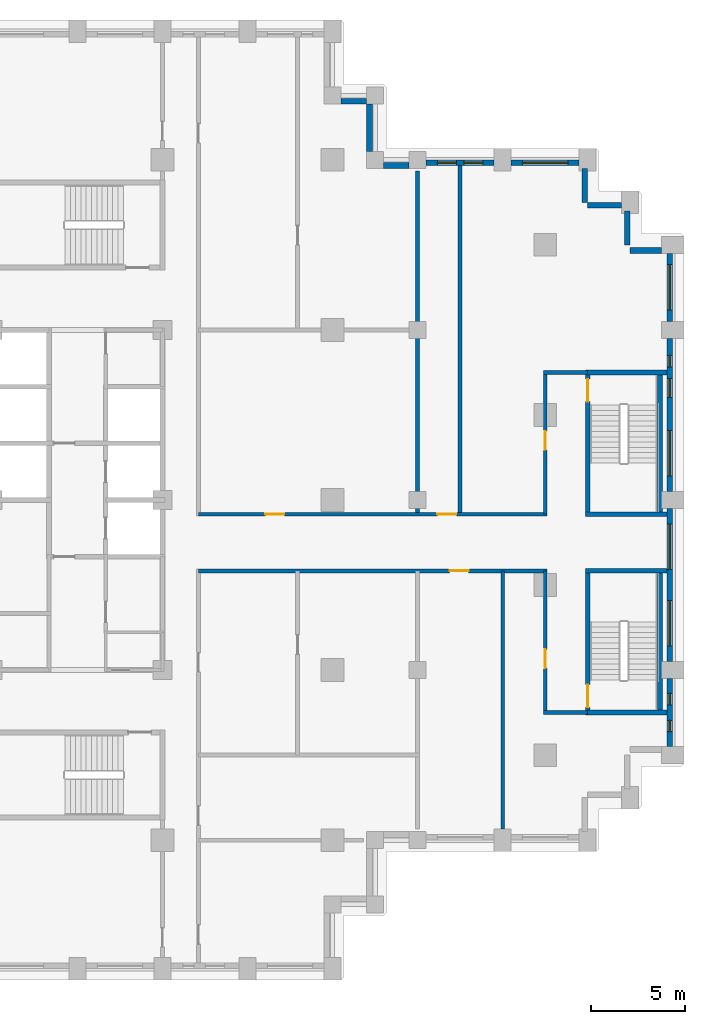
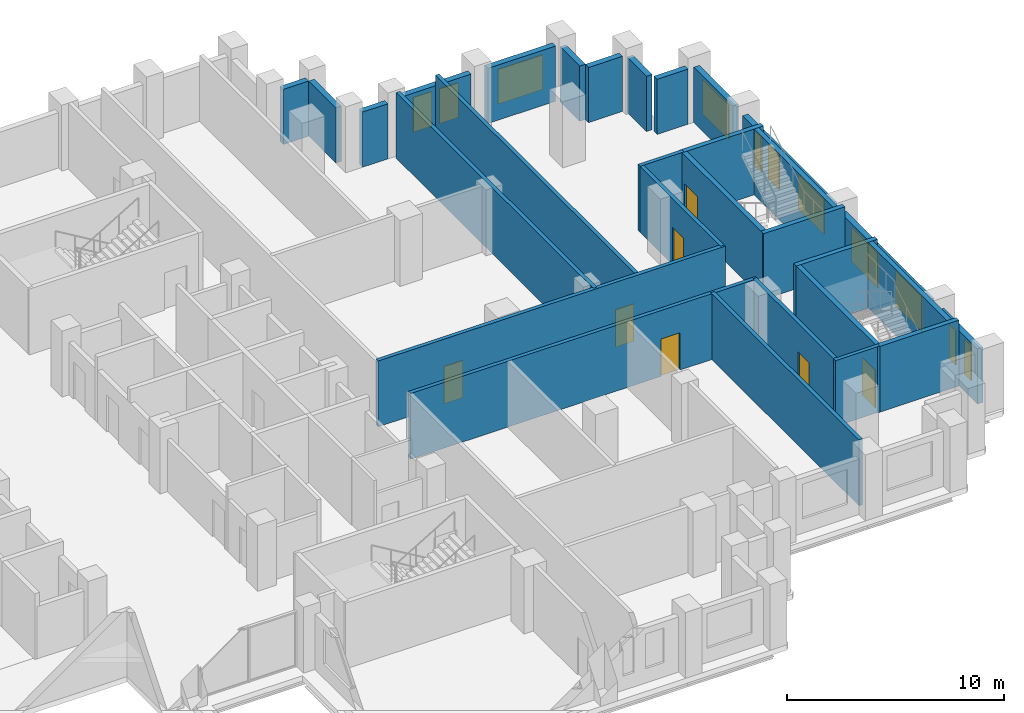
# One storey, part 12 of 16: 30 walls, 11 windows, 7 doors, 18 openings.
"""IFC4 building model written with IfcOpenShell, lengths in metres."""

import ifcopenshell
import ifcopenshell.guid

model = None  # the IFC model being written
_history = None  # IfcOwnerHistory: only IFC2X3 demands one
_inside = {}  # id of a spatial element -> (the spatial element, [elements in it])
_under = {}  # id of a project, library or spatial element -> (it, [spatial elements below it])
_declared = {}  # id of a project -> (the project, [libraries it declares])
_typed = {}  # id of a type object -> (the type object, [elements of that type])
_made_of = {}  # id of a material, layer set ... -> (it, [elements and type objects made of it])


def new_model(schema):
    """Start an empty IFC model of exactly this schema.

    Asked for "IFC4X3", IfcOpenShell would pick the latest addendum, in which some entities
    have other attributes; the version numbers below select the first issue.
    IFC2X3 requires an IfcOwnerHistory on every rooted entity: one is made here for all.
    """
    global model, _history
    if schema == "IFC4X3":
        model = ifcopenshell.file(schema_version=(4, 3, 0, 0))
    else:
        model = ifcopenshell.file(schema=schema)
    _inside.clear()
    _under.clear()
    _declared.clear()
    _typed.clear()
    _made_of.clear()
    _history = None
    if model.schema == "IFC2X3":
        org = make("IfcOrganization", Name="unknown")
        user = make(
            "IfcPersonAndOrganization",
            ThePerson=make("IfcPerson", FamilyName="unknown"),
            TheOrganization=org,
        )
        app = make(
            "IfcApplication",
            ApplicationDeveloper=org,
            Version="unknown",
            ApplicationFullName="unknown",
            ApplicationIdentifier="unknown",
        )
        _history = make(
            "IfcOwnerHistory",
            OwningUser=user,
            OwningApplication=app,
            ChangeAction="ADDED",
            CreationDate=0,
        )
    return model


def make(cls, **values):
    """One entity of the class cls with the attributes given. An attribute that is None is left unset."""
    return model.create_entity(
        cls, **{name: value for name, value in values.items() if value is not None}
    )


def rooted(cls, **values):
    """An entity with a GlobalId (a new one), such as an element, a storey or a relation."""
    return make(cls, GlobalId=ifcopenshell.guid.new(), OwnerHistory=_history, **values)


def si_unit(unit_type, name, prefix=None):
    """IfcSIUnit, for example si_unit("LENGTHUNIT", "METRE", prefix="MILLI")."""
    return make("IfcSIUnit", UnitType=unit_type, Prefix=prefix, Name=name)


def assignment(units):
    """IfcUnitAssignment: the units of a project."""
    return None if units is None else make("IfcUnitAssignment", Units=units)


def point(xyz):
    """IfcCartesianPoint."""
    return None if xyz is None else make("IfcCartesianPoint", Coordinates=xyz)


def direction(xyz):
    """IfcDirection."""
    return None if xyz is None else make("IfcDirection", DirectionRatios=xyz)


def frame(location, z_axis=None, x_axis=None):
    """IfcAxis2Placement3D, a coordinate frame: its origin and axes. An axis left out is left unset."""
    return make(
        "IfcAxis2Placement3D",
        Location=point(location),
        Axis=direction(z_axis),
        RefDirection=direction(x_axis),
    )


def frame_2d(location, x_axis=None):
    """IfcAxis2Placement2D, a coordinate frame in the plane: its origin and x axis."""
    return make(
        "IfcAxis2Placement2D", Location=point(location), RefDirection=direction(x_axis)
    )


def origin():
    """The frame at (0, 0, 0) with its axes left unset."""
    return frame((0.0, 0.0, 0.0))


def place(relative_to, where):
    """IfcLocalPlacement: puts the frame where relative to a parent placement (None: the world)."""
    return make(
        "IfcLocalPlacement", PlacementRelTo=relative_to, RelativePlacement=where
    )


def context(
    kind, dimensions, precision=None, world=None, true_north=None, identifier=None
):
    """IfcGeometricRepresentationContext, for example the 3D "Model" context."""
    return make(
        "IfcGeometricRepresentationContext",
        ContextIdentifier=identifier,
        ContextType=kind,
        CoordinateSpaceDimension=dimensions,
        Precision=precision,
        WorldCoordinateSystem=world,
        TrueNorth=true_north,
    )


def subcontext(parent, identifier, kind, view, scale=None):
    """IfcGeometricRepresentationSubContext, for example "Body" below "Model"."""
    return make(
        "IfcGeometricRepresentationSubContext",
        ContextIdentifier=identifier,
        ContextType=kind,
        ParentContext=parent,
        TargetScale=scale,
        TargetView=view,
    )


def project(units=None, contexts=None):
    """IfcProject with its units and contexts."""
    return rooted(
        "IfcProject",
        Name="project",
        RepresentationContexts=contexts,
        UnitsInContext=assignment(units),
    )


def spatial(cls, under=None, at=None, **own):
    """A site, building, storey or space (cls), placed at a placement, below another one or the project."""
    s = rooted(cls, ObjectPlacement=at, **own)
    if under is not None:
        _under.setdefault(under.id(), (under, []))[1].append(s)
    return s


def profile(cls, at=None, kind="AREA", **sizes):
    """A parametric profile (cls). Its sizes go by their IFC names, for example OverallWidth=200.0."""
    return make(cls, ProfileType=kind, Position=at, **sizes)


def rectangle(**sizes):
    """IfcRectangleProfileDef."""
    return profile("IfcRectangleProfileDef", **sizes)


def extrude(swept, where, along, depth):
    """IfcExtrudedAreaSolid: the profile swept, set in the frame where, extruded along a direction by depth."""
    return make(
        "IfcExtrudedAreaSolid",
        SweptArea=swept,
        Position=where,
        ExtrudedDirection=direction(along),
        Depth=depth,
    )


def shape(context_of_items, identifier, shape_type, items):
    """IfcShapeRepresentation: the items that make up one representation, for example the "Body"."""
    return make(
        "IfcShapeRepresentation",
        ContextOfItems=context_of_items,
        RepresentationIdentifier=identifier,
        RepresentationType=shape_type,
        Items=items,
    )


def material(Name=None, Category=None):
    """IfcMaterial."""
    return make("IfcMaterial", Name=Name, Category=Category)


def layer(
    of_material, thickness, ventilated=None, Name=None, Category=None, Priority=None
):
    """IfcMaterialLayer: one layer of a wall or slab, of a material (None: an air gap)."""
    return make(
        "IfcMaterialLayer",
        Material=of_material,
        LayerThickness=thickness,
        IsVentilated=ventilated,
        Name=Name,
        Category=Category,
        Priority=Priority,
    )


def layer_set(layers, Name=None):
    """IfcMaterialLayerSet."""
    return make("IfcMaterialLayerSet", MaterialLayers=layers, LayerSetName=Name)


def made_of(thing, what):
    """Note that an element or type object is made of a material, layer set ...; save() writes the relation."""
    if what is not None:
        _made_of.setdefault(what.id(), (what, []))[1].append(thing)
    return thing


def type_object(cls, material=None, **own):
    """A type object (cls), such as IfcWallType, which elements share."""
    return made_of(rooted(cls, **own), material)


def element(
    cls,
    number,
    at=None,
    inside=None,
    cuts=None,
    type_object=None,
    material=None,
    context=None,
    identifier="Body",
    shape_type=None,
    held_by="IfcProductDefinitionShape",
    body=None,
    shapes=None,
    **own,
):
    """One element of the class cls, such as IfcWall. Its Tag is "e" and its number.

    at: its placement. inside: the storey or other place that contains it. cuts: it is an
    opening in that element (IfcRelVoidsElement). A single representation is given by context,
    identifier, shape_type and body (its items); several are given by shapes. held_by: the class
    of the entity that holds the representations. save() writes the other relations.
    """
    e = rooted(cls, Tag="e%d" % number, ObjectPlacement=at, **own)
    if body is not None:
        shapes = [shape(context, identifier, shape_type, body)]
    if shapes is not None:
        e.Representation = make(held_by, Representations=shapes)
    if inside is not None:
        _inside.setdefault(inside.id(), (inside, []))[1].append(e)
    if cuts is not None:
        rooted(
            "IfcRelVoidsElement", RelatingBuildingElement=cuts, RelatedOpeningElement=e
        )
    if type_object is not None:
        _typed.setdefault(type_object.id(), (type_object, []))[1].append(e)
    return made_of(e, material)


def fill(opening, filler):
    """IfcRelFillsElement: the door or window that sits in an opening."""
    return rooted(
        "IfcRelFillsElement",
        RelatingOpeningElement=opening,
        RelatedBuildingElement=filler,
    )


def aggregate(whole, parts):
    """IfcRelAggregates: a whole, such as a stair, and the parts it consists of."""
    return rooted("IfcRelAggregates", RelatingObject=whole, RelatedObjects=parts)


def save(model, path):
    """Write the relations noted so far, then the file.

    IfcRelAggregates (storeys below a building ...), IfcRelContainedInSpatialStructure (elements
    in a storey), IfcRelDefinesByType, IfcRelAssociatesMaterial and IfcRelDeclares: one each for
    every whole, place, type object, material and project.
    """
    for whole, parts in _under.values():
        aggregate(whole, parts)
    for where, things in _inside.values():
        rooted(
            "IfcRelContainedInSpatialStructure",
            RelatedElements=things,
            RelatingStructure=where,
        )
    for kind, things in _typed.values():
        rooted("IfcRelDefinesByType", RelatedObjects=things, RelatingType=kind)
    for what, things in _made_of.values():
        rooted("IfcRelAssociatesMaterial", RelatedObjects=things, RelatingMaterial=what)
    for by, libraries in _declared.values():
        rooted("IfcRelDeclares", RelatingContext=by, RelatedDefinitions=libraries)
    model.write(path)


model = new_model("IFC4")

# Units and contexts
model_context = context("Model", 3, precision=1e-05, world=origin(), true_north=direction((0.0, 1.0)))
body_context = subcontext(model_context, "Body", "Model", "MODEL_VIEW")
ifc_project = project(units=[si_unit("LENGTHUNIT", "METRE"), si_unit("AREAUNIT", "SQUARE_METRE"), si_unit("VOLUMEUNIT", "CUBIC_METRE"), si_unit("PLANEANGLEUNIT", "RADIAN"), si_unit("MASSUNIT", "GRAM", prefix="KILO")], contexts=[model_context])

# Site, building, storey
site_placement = place(None, origin())
site = spatial("IfcSite", under=ifc_project, at=site_placement, CompositionType="ELEMENT")
building_placement = place(site_placement, origin())
building = spatial("IfcBuilding", under=site, at=building_placement, Name="Corbelhall Arena Tower", CompositionType="ELEMENT")
storey_placement = place(building_placement, frame((0.0, 0.0, 108.0)))
storey = spatial("IfcBuildingStorey", under=building, at=storey_placement, Name="L19", CompositionType="ELEMENT", Elevation=108.0)

# Walls
ifc_material_1 = material(Name="Precast concrete C40/50 with granite facing", Category="masonry")
ifc_layer_1 = layer(ifc_material_1, 0.300048828125)
ifc_layer_set_1 = layer_set([ifc_layer_1], Name="EV-IW1 Infill panel 300")
wall_type_1 = type_object("IfcWallType", Name="EV-IW1 Infill panel 300", PredefinedType="SOLIDWALL", material=ifc_layer_set_1)
wall_1_placement = place(storey_placement, frame((39.89990234375, 13.199951171875, 0.0), z_axis=(0.0, 0.0, 1.0), x_axis=(-1.0, 0.0, 0.0)))
element("IfcWall", 1, at=wall_1_placement, inside=storey, type_object=wall_type_1, Name="Infill panel IW1", PredefinedType="SOLIDWALL", context=body_context, shape_type="SweptSolid", body=[
    extrude(rectangle(XDim=1.64990234375, YDim=0.300048828125, at=frame_2d((0.824951171875, 0.0))), origin(), (0.0, 0.0, 1.0), 3.10009765625),
])
for number, where, z_axis, x_axis, name in (
    (2, (38.10009765625, 15.300048828125, 0.0), (0.0, 0.0, 1.0), (0.0, -1.0, 0.0), "Infill panel IW1"),
    (3, (37.800048828125, 15.60009765625, 0.0), (0.0, 0.0, 1.0), (-1.0, 0.0, 0.0), "Infill panel IW1"),
    (4, (35.85009765625, 17.550048828125, 0.0), (0.0, 0.0, 1.0), (0.0, -1.0, 0.0), "Infill panel IW1"),
):
    element("IfcWall", number, at=place(storey_placement, frame(where, z_axis=z_axis, x_axis=x_axis)), inside=storey, type_object=wall_type_1, Name=name, PredefinedType="SOLIDWALL", context=body_context, shape_type="SweptSolid", body=[
        extrude(rectangle(XDim=1.800048828125, YDim=0.300048828125, at=frame_2d((0.89990234375, 0.0))), origin(), (0.0, 0.0, 1.0), 3.10009765625),
    ])

# Wall, openings, windows
wall_2_placement = place(storey_placement, frame((40.35009765625, -13.050048828125, 0.0), z_axis=(0.0, 0.0, 1.0), x_axis=(0.0, 1.0, 0.0)))
wall_2 = element("IfcWall", 5, at=wall_2_placement, inside=storey, type_object=wall_type_1, Name="Infill panel IW1", PredefinedType="SOLIDWALL", context=body_context, shape_type="SweptSolid", body=[
    extrude(rectangle(XDim=3.60009765625, YDim=0.300048828125, at=frame_2d((1.800048828125, 0.0))), origin(), (0.0, 0.0, 1.0), 3.10009765625),
])
opening_1_placement = place(wall_2_placement, frame((0.78759765625, 0.0, 0.800048828125)))
opening_1 = element("IfcOpeningElement", 6, at=opening_1_placement, cuts=wall_2, Name="Opening WN5", PredefinedType="OPENING", context=body_context, shape_type="SweptSolid", body=[
    extrude(rectangle(XDim=0.60009765625, YDim=1.949951171875, at=frame_2d((0.300048828125, 0.97509765625))), frame((0.0, 0.14990234375, 0.0), z_axis=(0.0, -1.0, 0.0), x_axis=(1.0, 0.0, 0.0)), (0.0, 0.0, 1.0), 0.300048828125),
])
opening_2_placement = place(wall_2_placement, frame((2.21240234375, 0.0, 0.800048828125)))
opening_2 = element("IfcOpeningElement", 7, at=opening_2_placement, cuts=wall_2, Name="Opening WN5", PredefinedType="OPENING", context=body_context, shape_type="SweptSolid", body=[
    extrude(rectangle(XDim=0.60009765625, YDim=1.949951171875, at=frame_2d((0.300048828125, 0.97509765625))), frame((0.0, 0.14990234375, 0.0), z_axis=(0.0, -1.0, 0.0), x_axis=(1.0, 0.0, 0.0)), (0.0, 0.0, 1.0), 0.300048828125),
])
ifc_material_2 = material(Name="Aluminium black anodised", Category="aluminium")
window_type_1 = type_object("IfcWindowType", Name="EV-WN5 Office window 600", PartitioningType="SINGLE_PANEL", PredefinedType="WINDOW", material=ifc_material_2)
window_1_placement = place(opening_1_placement, origin())
window_1 = element("IfcWindow", 8, at=window_1_placement, inside=storey, type_object=window_type_1, Name="Window WN5", OverallHeight=1.949951171875, OverallWidth=0.60009765625, PartitioningType="SINGLE_PANEL", PredefinedType="WINDOW", context=body_context, shape_type="SweptSolid", body=[
    extrude(rectangle(XDim=0.60009765625, YDim=1.949951171875, at=frame_2d((0.300048828125, 0.97509765625))), frame((0.0, 0.030029296875, 0.0), z_axis=(0.0, -1.0, 0.0), x_axis=(1.0, 0.0, 0.0)), (0.0, 0.0, 1.0), 0.06005859375),
])
fill(opening_1, window_1)
window_2_placement = place(opening_2_placement, origin())
window_2 = element("IfcWindow", 9, at=window_2_placement, inside=storey, type_object=window_type_1, Name="Window WN5", OverallHeight=1.949951171875, OverallWidth=0.60009765625, PartitioningType="SINGLE_PANEL", PredefinedType="WINDOW", context=body_context, shape_type="SweptSolid", body=[
    extrude(rectangle(XDim=0.60009765625, YDim=1.949951171875, at=frame_2d((0.300048828125, 0.97509765625))), frame((0.0, 0.030029296875, 0.0), z_axis=(0.0, -1.0, 0.0), x_axis=(1.0, 0.0, 0.0)), (0.0, 0.0, 1.0), 0.06005859375),
])
fill(opening_2, window_2)

wall_3_placement = place(storey_placement, frame((40.35009765625, -8.550048828125, 0.0), z_axis=(0.0, 0.0, 1.0), x_axis=(0.0, 1.0, 0.0)))
wall_3 = element("IfcWall", 10, at=wall_3_placement, inside=storey, type_object=wall_type_1, Name="Infill panel IW1", PredefinedType="SOLIDWALL", context=body_context, shape_type="SweptSolid", body=[
    extrude(rectangle(XDim=8.10009765625, YDim=0.300048828125, at=frame_2d((4.050048828125, 0.0))), origin(), (0.0, 0.0, 1.0), 3.10009765625),
])
opening_3_placement = place(wall_3_placement, frame((0.824951171875, 0.0, 0.800048828125)))
opening_3 = element("IfcOpeningElement", 11, at=opening_3_placement, cuts=wall_3, Name="Opening WN1", PredefinedType="OPENING", context=body_context, shape_type="SweptSolid", body=[
    extrude(rectangle(XDim=2.39990234375, YDim=1.949951171875, at=frame_2d((1.199951171875, 0.97509765625))), frame((0.0, 0.14990234375, 0.0), z_axis=(0.0, -1.0, 0.0), x_axis=(1.0, 0.0, 0.0)), (0.0, 0.0, 1.0), 0.300048828125),
])
opening_4_placement = place(wall_3_placement, frame((4.875, 0.0, 0.800048828125)))
opening_4 = element("IfcOpeningElement", 12, at=opening_4_placement, cuts=wall_3, Name="Opening WN1", PredefinedType="OPENING", context=body_context, shape_type="SweptSolid", body=[
    extrude(rectangle(XDim=2.39990234375, YDim=1.949951171875, at=frame_2d((1.199951171875, 0.97509765625))), frame((0.0, 0.14990234375, 0.0), z_axis=(0.0, -1.0, 0.0), x_axis=(1.0, 0.0, 0.0)), (0.0, 0.0, 1.0), 0.300048828125),
])
window_type_2 = type_object("IfcWindowType", Name="EV-WN1 Office window", PartitioningType="SINGLE_PANEL", PredefinedType="WINDOW", material=ifc_material_2)
window_3_placement = place(opening_3_placement, origin())
window_3 = element("IfcWindow", 13, at=window_3_placement, inside=storey, type_object=window_type_2, Name="Window WN1", OverallHeight=1.949951171875, OverallWidth=2.39990234375, PartitioningType="SINGLE_PANEL", PredefinedType="WINDOW", context=body_context, shape_type="SweptSolid", body=[
    extrude(rectangle(XDim=2.39990234375, YDim=1.949951171875, at=frame_2d((1.199951171875, 0.97509765625))), frame((0.0, 0.030029296875, 0.0), z_axis=(0.0, -1.0, 0.0), x_axis=(1.0, 0.0, 0.0)), (0.0, 0.0, 1.0), 0.06005859375),
])
fill(opening_3, window_3)
window_4_placement = place(opening_4_placement, origin())
window_4 = element("IfcWindow", 14, at=window_4_placement, inside=storey, type_object=window_type_2, Name="Window WN1", OverallHeight=1.949951171875, OverallWidth=2.39990234375, PartitioningType="SINGLE_PANEL", PredefinedType="WINDOW", context=body_context, shape_type="SweptSolid", body=[
    extrude(rectangle(XDim=2.39990234375, YDim=1.949951171875, at=frame_2d((1.199951171875, 0.97509765625))), frame((0.0, 0.030029296875, 0.0), z_axis=(0.0, -1.0, 0.0), x_axis=(1.0, 0.0, 0.0)), (0.0, 0.0, 1.0), 0.06005859375),
])
fill(opening_4, window_4)

wall_4_placement = place(storey_placement, frame((40.35009765625, 0.449951171875, 0.0), z_axis=(0.0, 0.0, 1.0), x_axis=(0.0, 1.0, 0.0)))
wall_4 = element("IfcWall", 15, at=wall_4_placement, inside=storey, type_object=wall_type_1, Name="Infill panel IW1", PredefinedType="SOLIDWALL", context=body_context, shape_type="SweptSolid", body=[
    extrude(rectangle(XDim=8.10009765625, YDim=0.300048828125, at=frame_2d((4.050048828125, 0.0))), origin(), (0.0, 0.0, 1.0), 3.10009765625),
])
opening_5_placement = place(wall_4_placement, frame((0.824951171875, 0.0, 0.800048828125)))
opening_5 = element("IfcOpeningElement", 16, at=opening_5_placement, cuts=wall_4, Name="Opening WN1", PredefinedType="OPENING", context=body_context, shape_type="SweptSolid", body=[
    extrude(rectangle(XDim=2.39990234375, YDim=1.949951171875, at=frame_2d((1.199951171875, 0.97509765625))), frame((0.0, 0.14990234375, 0.0), z_axis=(0.0, -1.0, 0.0), x_axis=(1.0, 0.0, 0.0)), (0.0, 0.0, 1.0), 0.300048828125),
])
opening_6_placement = place(wall_4_placement, frame((4.97509765625, 0.0, 0.800048828125)))
opening_6 = element("IfcOpeningElement", 17, at=opening_6_placement, cuts=wall_4, Name="Opening WN6", PredefinedType="OPENING", context=body_context, shape_type="SweptSolid", body=[
    extrude(rectangle(XDim=1.0, YDim=1.949951171875, at=frame_2d((0.5, 0.97509765625))), frame((0.0, 0.14990234375, 0.0), z_axis=(0.0, -1.0, 0.0), x_axis=(1.0, 0.0, 0.0)), (0.0, 0.0, 1.0), 0.300048828125),
])
opening_7_placement = place(wall_4_placement, frame((6.60009765625, 0.0, 0.800048828125)))
opening_7 = element("IfcOpeningElement", 18, at=opening_7_placement, cuts=wall_4, Name="Opening WN5", PredefinedType="OPENING", context=body_context, shape_type="SweptSolid", body=[
    extrude(rectangle(XDim=0.60009765625, YDim=1.949951171875, at=frame_2d((0.300048828125, 0.97509765625))), frame((0.0, 0.14990234375, 0.0), z_axis=(0.0, -1.0, 0.0), x_axis=(1.0, 0.0, 0.0)), (0.0, 0.0, 1.0), 0.300048828125),
])
window_5_placement = place(opening_5_placement, origin())
window_5 = element("IfcWindow", 19, at=window_5_placement, inside=storey, type_object=window_type_2, Name="Window WN1", OverallHeight=1.949951171875, OverallWidth=2.39990234375, PartitioningType="SINGLE_PANEL", PredefinedType="WINDOW", context=body_context, shape_type="SweptSolid", body=[
    extrude(rectangle(XDim=2.39990234375, YDim=1.949951171875, at=frame_2d((1.199951171875, 0.97509765625))), frame((0.0, 0.030029296875, 0.0), z_axis=(0.0, -1.0, 0.0), x_axis=(1.0, 0.0, 0.0)), (0.0, 0.0, 1.0), 0.06005859375),
])
fill(opening_5, window_5)
window_6_placement = place(opening_7_placement, origin())
window_6 = element("IfcWindow", 20, at=window_6_placement, inside=storey, type_object=window_type_1, Name="Window WN5", OverallHeight=1.949951171875, OverallWidth=0.60009765625, PartitioningType="SINGLE_PANEL", PredefinedType="WINDOW", context=body_context, shape_type="SweptSolid", body=[
    extrude(rectangle(XDim=0.60009765625, YDim=1.949951171875, at=frame_2d((0.300048828125, 0.97509765625))), frame((0.0, 0.030029296875, 0.0), z_axis=(0.0, -1.0, 0.0), x_axis=(1.0, 0.0, 0.0)), (0.0, 0.0, 1.0), 0.06005859375),
])
fill(opening_7, window_6)
window_type_3 = type_object("IfcWindowType", Name="EV-WN6 Office window 1000", PartitioningType="SINGLE_PANEL", PredefinedType="WINDOW", material=ifc_material_2)
window_7_placement = place(opening_6_placement, origin())
window_7 = element("IfcWindow", 21, at=window_7_placement, inside=storey, type_object=window_type_3, Name="Window WN6", OverallHeight=1.949951171875, OverallWidth=1.0, PartitioningType="SINGLE_PANEL", PredefinedType="WINDOW", context=body_context, shape_type="SweptSolid", body=[
    extrude(rectangle(XDim=1.0, YDim=1.949951171875, at=frame_2d((0.5, 0.97509765625))), frame((0.0, 0.030029296875, 0.0), z_axis=(0.0, -1.0, 0.0), x_axis=(1.0, 0.0, 0.0)), (0.0, 0.0, 1.0), 0.06005859375),
])
fill(opening_6, window_7)

# Wall, opening, window
wall_5_placement = place(storey_placement, frame((40.35009765625, 9.449951171875, 0.0), z_axis=(0.0, 0.0, 1.0), x_axis=(0.0, 1.0, 0.0)))
wall_5 = element("IfcWall", 22, at=wall_5_placement, inside=storey, type_object=wall_type_1, Name="Infill panel IW1", PredefinedType="SOLIDWALL", context=body_context, shape_type="SweptSolid", body=[
    extrude(rectangle(XDim=3.60009765625, YDim=0.300048828125, at=frame_2d((1.800048828125, 0.0))), origin(), (0.0, 0.0, 1.0), 3.10009765625),
])
opening_8_placement = place(wall_5_placement, frame((0.60009765625, 0.0, 0.800048828125)))
opening_8 = element("IfcOpeningElement", 23, at=opening_8_placement, cuts=wall_5, Name="Opening WN1", PredefinedType="OPENING", context=body_context, shape_type="SweptSolid", body=[
    extrude(rectangle(XDim=2.39990234375, YDim=1.949951171875, at=frame_2d((1.199951171875, 0.97509765625))), frame((0.0, 0.14990234375, 0.0), z_axis=(0.0, -1.0, 0.0), x_axis=(1.0, 0.0, 0.0)), (0.0, 0.0, 1.0), 0.300048828125),
])
window_8_placement = place(opening_8_placement, origin())
window_8 = element("IfcWindow", 24, at=window_8_placement, inside=storey, type_object=window_type_2, Name="Window WN1", OverallHeight=1.949951171875, OverallWidth=2.39990234375, PartitioningType="SINGLE_PANEL", PredefinedType="WINDOW", context=body_context, shape_type="SweptSolid", body=[
    extrude(rectangle(XDim=2.39990234375, YDim=1.949951171875, at=frame_2d((1.199951171875, 0.97509765625))), frame((0.0, 0.030029296875, 0.0), z_axis=(0.0, -1.0, 0.0), x_axis=(1.0, 0.0, 0.0)), (0.0, 0.0, 1.0), 0.06005859375),
])
fill(opening_8, window_8)

wall_6_placement = place(storey_placement, frame((35.550048828125, 17.85009765625, 0.0), z_axis=(0.0, 0.0, 1.0), x_axis=(-1.0, 0.0, 0.0)))
wall_6 = element("IfcWall", 25, at=wall_6_placement, inside=storey, type_object=wall_type_1, Name="Infill panel IW1", PredefinedType="SOLIDWALL", context=body_context, shape_type="SweptSolid", body=[
    extrude(rectangle(XDim=3.60009765625, YDim=0.300048828125, at=frame_2d((1.800048828125, 0.0))), origin(), (0.0, 0.0, 1.0), 3.10009765625),
])
opening_9_placement = place(wall_6_placement, frame((0.60009765625, 0.0, 0.800048828125)))
opening_9 = element("IfcOpeningElement", 26, at=opening_9_placement, cuts=wall_6, Name="Opening WN1", PredefinedType="OPENING", context=body_context, shape_type="SweptSolid", body=[
    extrude(rectangle(XDim=2.39990234375, YDim=1.949951171875, at=frame_2d((1.199951171875, 0.97509765625))), frame((0.0, 0.14990234375, 0.0), z_axis=(0.0, -1.0, 0.0), x_axis=(1.0, 0.0, 0.0)), (0.0, 0.0, 1.0), 0.300048828125),
])
window_9_placement = place(opening_9_placement, origin())
window_9 = element("IfcWindow", 27, at=window_9_placement, inside=storey, type_object=window_type_2, Name="Window WN1", OverallHeight=1.949951171875, OverallWidth=2.39990234375, PartitioningType="SINGLE_PANEL", PredefinedType="WINDOW", context=body_context, shape_type="SweptSolid", body=[
    extrude(rectangle(XDim=2.39990234375, YDim=1.949951171875, at=frame_2d((1.199951171875, 0.97509765625))), frame((0.0, 0.030029296875, 0.0), z_axis=(0.0, -1.0, 0.0), x_axis=(1.0, 0.0, 0.0)), (0.0, 0.0, 1.0), 0.06005859375),
])
fill(opening_9, window_9)

# Wall, openings, windows
wall_7_placement = place(storey_placement, frame((31.050048828125, 17.85009765625, 0.0), z_axis=(0.0, 0.0, 1.0), x_axis=(-1.0, 0.0, 0.0)))
wall_7 = element("IfcWall", 28, at=wall_7_placement, inside=storey, type_object=wall_type_1, Name="Infill panel IW1", PredefinedType="SOLIDWALL", context=body_context, shape_type="SweptSolid", body=[
    extrude(rectangle(XDim=3.60009765625, YDim=0.300048828125, at=frame_2d((1.800048828125, 0.0))), origin(), (0.0, 0.0, 1.0), 3.10009765625),
])
opening_10_placement = place(wall_7_placement, frame((0.60009765625, 0.0, 0.800048828125)))
opening_10 = element("IfcOpeningElement", 29, at=opening_10_placement, cuts=wall_7, Name="Opening WN6", PredefinedType="OPENING", context=body_context, shape_type="SweptSolid", body=[
    extrude(rectangle(XDim=1.0, YDim=1.949951171875, at=frame_2d((0.5, 0.97509765625))), frame((0.0, 0.14990234375, 0.0), z_axis=(0.0, -1.0, 0.0), x_axis=(1.0, 0.0, 0.0)), (0.0, 0.0, 1.0), 0.300048828125),
])
opening_11_placement = place(wall_7_placement, frame((2.0, 0.0, 0.800048828125)))
opening_11 = element("IfcOpeningElement", 30, at=opening_11_placement, cuts=wall_7, Name="Opening WN6", PredefinedType="OPENING", context=body_context, shape_type="SweptSolid", body=[
    extrude(rectangle(XDim=1.0, YDim=1.949951171875, at=frame_2d((0.5, 0.97509765625))), frame((0.0, 0.14990234375, 0.0), z_axis=(0.0, -1.0, 0.0), x_axis=(1.0, 0.0, 0.0)), (0.0, 0.0, 1.0), 0.300048828125),
])
window_10_placement = place(opening_10_placement, origin())
window_10 = element("IfcWindow", 31, at=window_10_placement, inside=storey, type_object=window_type_3, Name="Window WN6", OverallHeight=1.949951171875, OverallWidth=1.0, PartitioningType="SINGLE_PANEL", PredefinedType="WINDOW", context=body_context, shape_type="SweptSolid", body=[
    extrude(rectangle(XDim=1.0, YDim=1.949951171875, at=frame_2d((0.5, 0.97509765625))), frame((0.0, 0.030029296875, 0.0), z_axis=(0.0, -1.0, 0.0), x_axis=(1.0, 0.0, 0.0)), (0.0, 0.0, 1.0), 0.06005859375),
])
fill(opening_10, window_10)
window_11_placement = place(opening_11_placement, origin())
window_11 = element("IfcWindow", 32, at=window_11_placement, inside=storey, type_object=window_type_3, Name="Window WN6", OverallHeight=1.949951171875, OverallWidth=1.0, PartitioningType="SINGLE_PANEL", PredefinedType="WINDOW", context=body_context, shape_type="SweptSolid", body=[
    extrude(rectangle(XDim=1.0, YDim=1.949951171875, at=frame_2d((0.5, 0.97509765625))), frame((0.0, 0.030029296875, 0.0), z_axis=(0.0, -1.0, 0.0), x_axis=(1.0, 0.0, 0.0)), (0.0, 0.0, 1.0), 0.06005859375),
])
fill(opening_11, window_11)

# Walls
wall_8_placement = place(storey_placement, frame((26.550048828125, 17.699951171875, 0.0), z_axis=(0.0, 0.0, 1.0), x_axis=(-1.0, 0.0, 0.0)))
element("IfcWall", 33, at=wall_8_placement, inside=storey, type_object=wall_type_1, Name="Infill panel IW1", PredefinedType="SOLIDWALL", context=body_context, shape_type="SweptSolid", body=[
    extrude(rectangle(XDim=1.35009765625, YDim=0.300048828125, at=frame_2d((0.675048828125, 0.0))), origin(), (0.0, 0.0, 1.0), 3.10009765625),
])
wall_9_placement = place(storey_placement, frame((24.449951171875, 18.449951171875, 0.0), z_axis=(0.0, 0.0, 1.0), x_axis=(0.0, 1.0, 0.0)))
element("IfcWall", 34, at=wall_9_placement, inside=storey, type_object=wall_type_1, Name="Infill panel IW1", PredefinedType="SOLIDWALL", context=body_context, shape_type="SweptSolid", body=[
    extrude(rectangle(XDim=2.5, YDim=0.300048828125, at=frame_2d((1.25, 0.0))), origin(), (0.0, 0.0, 1.0), 3.10009765625),
])
wall_10_placement = place(storey_placement, frame((24.300048828125, 21.10009765625, 0.0), z_axis=(0.0, 0.0, 1.0), x_axis=(-1.0, 0.0, 0.0)))
element("IfcWall", 35, at=wall_10_placement, inside=storey, type_object=wall_type_1, Name="Infill panel IW1", PredefinedType="SOLIDWALL", context=body_context, shape_type="SweptSolid", body=[
    extrude(rectangle(XDim=1.35009765625, YDim=0.300048828125, at=frame_2d((0.675048828125, 0.0))), origin(), (0.0, 0.0, 1.0), 3.10009765625),
])

# Wall, openings, doors
ifc_material_3 = material(Name="Gypsum board on steel stud, acoustic", Category="steel")
ifc_layer_2 = layer(ifc_material_3, 0.199951171875)
ifc_layer_set_2 = layer_set([ifc_layer_2], Name="IN-W-DM200")
wall_type_2 = type_object("IfcWallType", Name="IN-W-DM200", PredefinedType="PARTITIONING", material=ifc_layer_set_2)
wall_11_placement = place(storey_placement, frame((15.39990234375, -0.75, 0.0), z_axis=(0.0, 0.0, 1.0), x_axis=(1.0, 0.0, 0.0)))
wall_11 = element("IfcWall", 36, at=wall_11_placement, inside=storey, type_object=wall_type_2, Name="Partition 030", PredefinedType="PARTITIONING", context=body_context, shape_type="SweptSolid", body=[
    extrude(rectangle(XDim=18.4501953125, YDim=0.199951171875, at=frame_2d((9.22509765625, 0.0))), origin(), (0.0, 0.0, 1.0), 3.699951171875),
])
opening_12_placement = place(wall_11_placement, frame((3.550048828125, 0.0, 0.0)))
opening_12 = element("IfcOpeningElement", 37, at=opening_12_placement, cuts=wall_11, Name="Opening 04032", PredefinedType="OPENING", context=body_context, shape_type="SweptSolid", body=[
    extrude(rectangle(XDim=1.0, YDim=2.10009765625, at=frame_2d((0.5, 1.050048828125))), frame((0.0, 0.10009765625, 0.0), z_axis=(0.0, -1.0, 0.0), x_axis=(1.0, 0.0, 0.0)), (0.0, 0.0, 1.0), 0.199951171875),
])
opening_13_placement = place(wall_11_placement, frame((12.64990234375, 0.0, 0.0)))
opening_13 = element("IfcOpeningElement", 38, at=opening_13_placement, cuts=wall_11, Name="Opening 04042", PredefinedType="OPENING", context=body_context, shape_type="SweptSolid", body=[
    extrude(rectangle(XDim=1.0, YDim=2.10009765625, at=frame_2d((0.5, 1.050048828125))), frame((0.0, 0.10009765625, 0.0), z_axis=(0.0, -1.0, 0.0), x_axis=(1.0, 0.0, 0.0)), (0.0, 0.0, 1.0), 0.199951171875),
])
ifc_material_4 = material(Name="Steel door set", Category="steel")
door_type_1 = type_object("IfcDoorType", Name="IN-D-SW100", OperationType="NOTDEFINED", PredefinedType="DOOR", material=ifc_material_4)
door_1_placement = place(opening_12_placement, origin())
door_1 = element("IfcDoor", 39, at=door_1_placement, inside=storey, type_object=door_type_1, Name="Door 032", OperationType="SINGLE_SWING_LEFT", OverallHeight=2.10009765625, OverallWidth=1.0, PredefinedType="DOOR", context=body_context, shape_type="SweptSolid", body=[
    extrude(rectangle(XDim=1.0, YDim=2.10009765625, at=frame_2d((0.5, 1.050048828125))), frame((0.0, 0.02490234375, 0.0), z_axis=(0.0, -1.0, 0.0), x_axis=(1.0, 0.0, 0.0)), (0.0, 0.0, 1.0), 0.050048828125),
])
fill(opening_12, door_1)
door_2_placement = place(opening_13_placement, origin())
door_2 = element("IfcDoor", 40, at=door_2_placement, inside=storey, type_object=door_type_1, Name="Door 042", OperationType="SINGLE_SWING_LEFT", OverallHeight=2.10009765625, OverallWidth=1.0, PredefinedType="DOOR", context=body_context, shape_type="SweptSolid", body=[
    extrude(rectangle(XDim=1.0, YDim=2.10009765625, at=frame_2d((0.5, 1.050048828125))), frame((0.0, 0.02490234375, 0.0), z_axis=(0.0, -1.0, 0.0), x_axis=(1.0, 0.0, 0.0)), (0.0, 0.0, 1.0), 0.050048828125),
])
fill(opening_13, door_2)

# Wall, opening, door
wall_12_placement = place(storey_placement, frame((33.85009765625, -3.75, 0.0), z_axis=(0.0, 0.0, 1.0), x_axis=(-1.0, 0.0, 0.0)))
wall_12 = element("IfcWall", 41, at=wall_12_placement, inside=storey, type_object=wall_type_2, Name="Partition 035", PredefinedType="PARTITIONING", context=body_context, shape_type="SweptSolid", body=[
    extrude(rectangle(XDim=18.4501953125, YDim=0.199951171875, at=frame_2d((9.22509765625, 0.0))), origin(), (0.0, 0.0, 1.0), 3.699951171875),
])
opening_14_placement = place(wall_12_placement, frame((4.14990234375, 0.0, 0.0)))
opening_14 = element("IfcOpeningElement", 42, at=opening_14_placement, cuts=wall_12, Name="Opening 04044", PredefinedType="OPENING", context=body_context, shape_type="SweptSolid", body=[
    extrude(rectangle(XDim=1.0, YDim=2.10009765625, at=frame_2d((0.5, 1.050048828125))), frame((0.0, 0.10009765625, 0.0), z_axis=(0.0, -1.0, 0.0), x_axis=(1.0, 0.0, 0.0)), (0.0, 0.0, 1.0), 0.199951171875),
])
door_3_placement = place(opening_14_placement, origin())
door_3 = element("IfcDoor", 43, at=door_3_placement, inside=storey, type_object=door_type_1, Name="Door 044", OperationType="SINGLE_SWING_LEFT", OverallHeight=2.10009765625, OverallWidth=1.0, PredefinedType="DOOR", context=body_context, shape_type="SweptSolid", body=[
    extrude(rectangle(XDim=1.0, YDim=2.10009765625, at=frame_2d((0.5, 1.050048828125))), frame((0.0, 0.02490234375, 0.0), z_axis=(0.0, -1.0, 0.0), x_axis=(1.0, 0.0, 0.0)), (0.0, 0.0, 1.0), 0.050048828125),
])
fill(opening_14, door_3)

# Walls
wall_13_placement = place(storey_placement, frame((27.0, 17.39990234375, 0.0), z_axis=(0.0, 0.0, 1.0), x_axis=(0.0, -1.0, 0.0)))
element("IfcWall", 44, at=wall_13_placement, inside=storey, type_object=wall_type_2, Name="Partition 037", PredefinedType="PARTITIONING", context=body_context, shape_type="SweptSolid", body=[
    extrude(rectangle(XDim=18.14990234375, YDim=0.199951171875, at=frame_2d((9.074951171875, 0.0))), origin(), (0.0, 0.0, 1.0), 3.699951171875),
])
wall_14_placement = place(storey_placement, frame((29.25, 17.699951171875, 0.0), z_axis=(0.0, 0.0, 1.0), x_axis=(0.0, -1.0, 0.0)))
element("IfcWall", 45, at=wall_14_placement, inside=storey, type_object=wall_type_2, Name="Partition 038", PredefinedType="PARTITIONING", context=body_context, shape_type="SweptSolid", body=[
    extrude(rectangle(XDim=18.449951171875, YDim=0.199951171875, at=frame_2d((9.22509765625, 0.0))), origin(), (0.0, 0.0, 1.0), 3.699951171875),
])
wall_15_placement = place(storey_placement, frame((31.5, -3.75, 0.0), z_axis=(0.0, 0.0, 1.0), x_axis=(0.0, -1.0, 0.0)))
element("IfcWall", 46, at=wall_15_placement, inside=storey, type_object=wall_type_2, Name="Partition 039", PredefinedType="PARTITIONING", context=body_context, shape_type="SweptSolid", body=[
    extrude(rectangle(XDim=13.64990234375, YDim=0.199951171875, at=frame_2d((6.824951171875, 0.0))), origin(), (0.0, 0.0, 1.0), 3.699951171875),
])
wall_16_placement = place(storey_placement, frame((33.64990234375, 6.75, 0.0), z_axis=(0.0, 0.0, 1.0), x_axis=(1.0, 0.0, 0.0)))
element("IfcWall", 47, at=wall_16_placement, inside=storey, type_object=wall_type_2, Name="Partition 040", PredefinedType="PARTITIONING", context=body_context, shape_type="SweptSolid", body=[
    extrude(rectangle(XDim=2.35009765625, YDim=0.199951171875, at=frame_2d((1.175048828125, 0.0))), origin(), (0.0, 0.0, 1.0), 3.699951171875),
])

# Wall, opening, door
wall_17_placement = place(storey_placement, frame((33.75, -11.25, 0.0), z_axis=(0.0, 0.0, 1.0), x_axis=(0.0, 1.0, 0.0)))
wall_17 = element("IfcWall", 48, at=wall_17_placement, inside=storey, type_object=wall_type_2, Name="Partition 041", PredefinedType="PARTITIONING", context=body_context, shape_type="SweptSolid", body=[
    extrude(rectangle(XDim=7.5, YDim=0.199951171875, at=frame_2d((3.75, 0.0))), origin(), (0.0, 0.0, 1.0), 3.699951171875),
])
opening_15_placement = place(wall_17_placement, frame((2.35009765625, 0.0, 0.0)))
opening_15 = element("IfcOpeningElement", 49, at=opening_15_placement, cuts=wall_17, Name="Opening 04045", PredefinedType="OPENING", context=body_context, shape_type="SweptSolid", body=[
    extrude(rectangle(XDim=1.0, YDim=2.10009765625, at=frame_2d((0.5, 1.050048828125))), frame((0.0, 0.10009765625, 0.0), z_axis=(0.0, -1.0, 0.0), x_axis=(1.0, 0.0, 0.0)), (0.0, 0.0, 1.0), 0.199951171875),
])
door_4_placement = place(opening_15_placement, origin())
door_4 = element("IfcDoor", 50, at=door_4_placement, inside=storey, type_object=door_type_1, Name="Door 045", OperationType="SINGLE_SWING_RIGHT", OverallHeight=2.10009765625, OverallWidth=1.0, PredefinedType="DOOR", context=body_context, shape_type="SweptSolid", body=[
    extrude(rectangle(XDim=1.0, YDim=2.10009765625, at=frame_2d((0.5, 1.050048828125))), frame((0.0, 0.02490234375, 0.0), z_axis=(0.0, -1.0, 0.0), x_axis=(1.0, 0.0, 0.0)), (0.0, 0.0, 1.0), 0.050048828125),
])
fill(opening_15, door_4)

wall_18_placement = place(storey_placement, frame((33.75, -0.75, 0.0), z_axis=(0.0, 0.0, 1.0), x_axis=(0.0, 1.0, 0.0)))
wall_18 = element("IfcWall", 51, at=wall_18_placement, inside=storey, type_object=wall_type_2, Name="Partition 042", PredefinedType="PARTITIONING", context=body_context, shape_type="SweptSolid", body=[
    extrude(rectangle(XDim=7.5, YDim=0.199951171875, at=frame_2d((3.75, 0.0))), origin(), (0.0, 0.0, 1.0), 3.699951171875),
])
opening_16_placement = place(wall_18_placement, frame((3.39990234375, 0.0, 0.0)))
opening_16 = element("IfcOpeningElement", 52, at=opening_16_placement, cuts=wall_18, Name="Opening 04043", PredefinedType="OPENING", context=body_context, shape_type="SweptSolid", body=[
    extrude(rectangle(XDim=1.0, YDim=2.10009765625, at=frame_2d((0.5, 1.050048828125))), frame((0.0, 0.10009765625, 0.0), z_axis=(0.0, -1.0, 0.0), x_axis=(1.0, 0.0, 0.0)), (0.0, 0.0, 1.0), 0.199951171875),
])
door_5_placement = place(opening_16_placement, origin())
door_5 = element("IfcDoor", 53, at=door_5_placement, inside=storey, type_object=door_type_1, Name="Door 043", OperationType="SINGLE_SWING_RIGHT", OverallHeight=2.10009765625, OverallWidth=1.0, PredefinedType="DOOR", context=body_context, shape_type="SweptSolid", body=[
    extrude(rectangle(XDim=1.0, YDim=2.10009765625, at=frame_2d((0.5, 1.050048828125))), frame((0.0, 0.02490234375, 0.0), z_axis=(0.0, -1.0, 0.0), x_axis=(1.0, 0.0, 0.0)), (0.0, 0.0, 1.0), 0.050048828125),
])
fill(opening_16, door_5)

# Walls
wall_19_placement = place(storey_placement, frame((36.0, -11.25, 0.0), z_axis=(0.0, 0.0, 1.0), x_axis=(-1.0, 0.0, 0.0)))
element("IfcWall", 54, at=wall_19_placement, inside=storey, type_object=wall_type_2, Name="Partition 043", PredefinedType="PARTITIONING", context=body_context, shape_type="SweptSolid", body=[
    extrude(rectangle(XDim=2.35009765625, YDim=0.199951171875, at=frame_2d((1.175048828125, 0.0))), origin(), (0.0, 0.0, 1.0), 3.699951171875),
])
ifc_material_5 = material(Name="Concrete C40/50", Category="concrete")
ifc_layer_3 = layer(ifc_material_5, 0.25)
ifc_layer_set_3 = layer_set([ifc_layer_3], Name="IN-W-ST250")
wall_type_3 = type_object("IfcWallType", Name="IN-W-ST250", PredefinedType="SOLIDWALL", material=ifc_layer_set_3)
wall_20_placement = place(storey_placement, frame((35.875, -0.75, 0.0), z_axis=(0.0, 0.0, 1.0), x_axis=(1.0, 0.0, 0.0)))
element("IfcWall", 55, at=wall_20_placement, inside=storey, type_object=wall_type_3, Name="Shaft wall 103", PredefinedType="SOLIDWALL", context=body_context, shape_type="SweptSolid", body=[
    extrude(rectangle(XDim=4.324951171875, YDim=0.25, at=frame_2d((2.16259765625, 0.0))), origin(), (0.0, 0.0, 1.0), 3.699951171875),
])

# Wall, opening, door
wall_21_placement = place(storey_placement, frame((36.0, -11.375, 0.0), z_axis=(0.0, 0.0, 1.0), x_axis=(0.0, 1.0, 0.0)))
wall_21 = element("IfcWall", 56, at=wall_21_placement, inside=storey, type_object=wall_type_3, Name="Shaft wall 104", PredefinedType="SOLIDWALL", context=body_context, shape_type="SweptSolid", body=[
    extrude(rectangle(XDim=7.625, YDim=0.25, at=frame_2d((3.8125, 0.0))), origin(), (0.0, 0.0, 1.0), 3.699951171875),
])
opening_17_placement = place(wall_21_placement, frame((0.39990234375, 0.0, 0.0)))
opening_17 = element("IfcOpeningElement", 57, at=opening_17_placement, cuts=wall_21, Name="Opening 04021", PredefinedType="OPENING", context=body_context, shape_type="SweptSolid", body=[
    extrude(rectangle(XDim=1.199951171875, YDim=2.10009765625, at=frame_2d((0.60009765625, 1.050048828125))), frame((0.0, 0.125, 0.0), z_axis=(0.0, -1.0, 0.0), x_axis=(1.0, 0.0, 0.0)), (0.0, 0.0, 1.0), 0.25),
])
door_type_2 = type_object("IfcDoorType", Name="IN-D-ST120", OperationType="NOTDEFINED", PredefinedType="DOOR", material=ifc_material_4)
door_6_placement = place(opening_17_placement, origin())
door_6 = element("IfcDoor", 58, at=door_6_placement, inside=storey, type_object=door_type_2, Name="Door 021", OperationType="SINGLE_SWING_RIGHT", OverallHeight=2.10009765625, OverallWidth=1.199951171875, PredefinedType="DOOR", context=body_context, shape_type="SweptSolid", body=[
    extrude(rectangle(XDim=1.199951171875, YDim=2.10009765625, at=frame_2d((0.60009765625, 1.050048828125))), frame((0.0, 0.02490234375, 0.0), z_axis=(0.0, -1.0, 0.0), x_axis=(1.0, 0.0, 0.0)), (0.0, 0.0, 1.0), 0.050048828125),
])
fill(opening_17, door_6)

wall_22_placement = place(storey_placement, frame((36.0, -0.75, 0.0), z_axis=(0.0, 0.0, 1.0), x_axis=(0.0, 1.0, 0.0)))
wall_22 = element("IfcWall", 59, at=wall_22_placement, inside=storey, type_object=wall_type_3, Name="Shaft wall 105", PredefinedType="SOLIDWALL", context=body_context, shape_type="SweptSolid", body=[
    extrude(rectangle(XDim=7.625, YDim=0.25, at=frame_2d((3.8125, 0.0))), origin(), (0.0, 0.0, 1.0), 3.699951171875),
])
opening_18_placement = place(wall_22_placement, frame((5.949951171875, 0.0, 0.0)))
opening_18 = element("IfcOpeningElement", 60, at=opening_18_placement, cuts=wall_22, Name="Opening 04022", PredefinedType="OPENING", context=body_context, shape_type="SweptSolid", body=[
    extrude(rectangle(XDim=1.199951171875, YDim=2.10009765625, at=frame_2d((0.60009765625, 1.050048828125))), frame((0.0, 0.125, 0.0), z_axis=(0.0, -1.0, 0.0), x_axis=(1.0, 0.0, 0.0)), (0.0, 0.0, 1.0), 0.25),
])
door_7_placement = place(opening_18_placement, origin())
door_7 = element("IfcDoor", 61, at=door_7_placement, inside=storey, type_object=door_type_2, Name="Door 022", OperationType="SINGLE_SWING_LEFT", OverallHeight=2.10009765625, OverallWidth=1.199951171875, PredefinedType="DOOR", context=body_context, shape_type="SweptSolid", body=[
    extrude(rectangle(XDim=1.199951171875, YDim=2.10009765625, at=frame_2d((0.60009765625, 1.050048828125))), frame((0.0, 0.02490234375, 0.0), z_axis=(0.0, -1.0, 0.0), x_axis=(1.0, 0.0, 0.0)), (0.0, 0.0, 1.0), 0.050048828125),
])
fill(opening_18, door_7)

# Walls
for number, where, z_axis, x_axis, name in (
    (62, (36.0, 6.75, 0.0), (0.0, 0.0, 1.0), (1.0, 0.0, 0.0), "Shaft wall 106"),
    (63, (40.199951171875, -11.25, 0.0), (0.0, 0.0, 1.0), (-1.0, 0.0, 0.0), "Shaft wall 107"),
):
    element("IfcWall", number, at=place(storey_placement, frame(where, z_axis=z_axis, x_axis=x_axis)), inside=storey, type_object=wall_type_3, Name=name, PredefinedType="SOLIDWALL", context=body_context, shape_type="SweptSolid", body=[
        extrude(rectangle(XDim=4.199951171875, YDim=0.25, at=frame_2d((2.10009765625, 0.0))), origin(), (0.0, 0.0, 1.0), 3.699951171875),
    ])
wall_23_placement = place(storey_placement, frame((40.199951171875, -3.75, 0.0), z_axis=(0.0, 0.0, 1.0), x_axis=(-1.0, 0.0, 0.0)))
element("IfcWall", 64, at=wall_23_placement, inside=storey, type_object=wall_type_3, Name="Shaft wall 108", PredefinedType="SOLIDWALL", context=body_context, shape_type="SweptSolid", body=[
    extrude(rectangle(XDim=4.324951171875, YDim=0.25, at=frame_2d((2.16259765625, 0.0))), origin(), (0.0, 0.0, 1.0), 3.699951171875),
])
for number, where, z_axis, x_axis, name in (
    (65, (39.824951171875, -11.125, 0.0), (0.0, 0.0, 1.0), (0.0, 1.0, 0.0), "Shaft wall SD1 facade side"),
    (66, (39.824951171875, -0.625, 0.0), (0.0, 0.0, 1.0), (0.0, 1.0, 0.0), "Shaft wall SD2 facade side"),
):
    element("IfcWall", number, at=place(storey_placement, frame(where, z_axis=z_axis, x_axis=x_axis)), inside=storey, type_object=wall_type_3, Name=name, PredefinedType="SOLIDWALL", context=body_context, shape_type="SweptSolid", body=[
        extrude(rectangle(XDim=7.25, YDim=0.25, at=frame_2d((3.625, 0.0))), origin(), (0.0, 0.0, 1.0), 3.699951171875),
    ])

save(model, "model.ifc")
